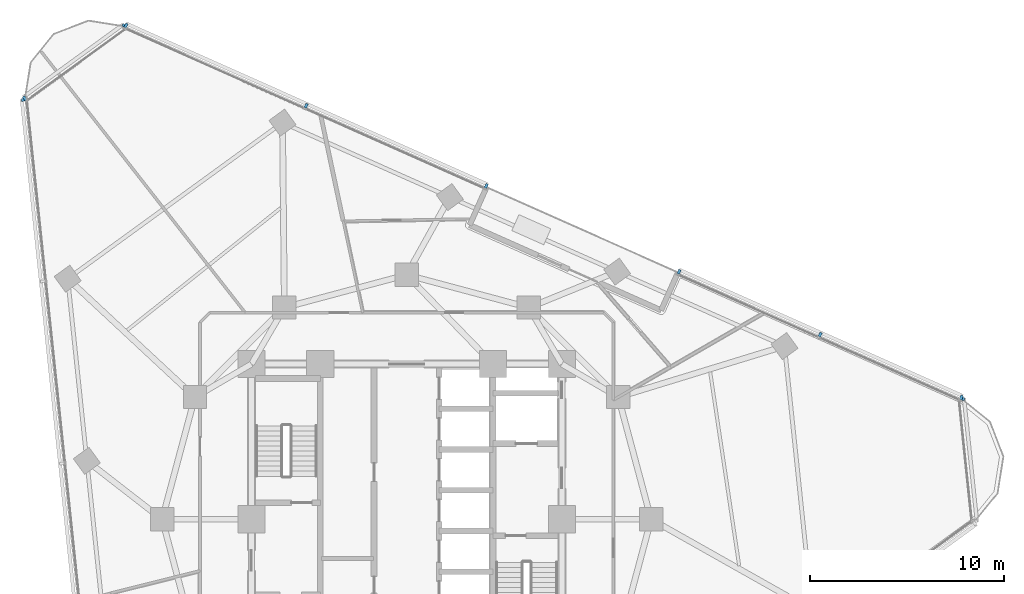
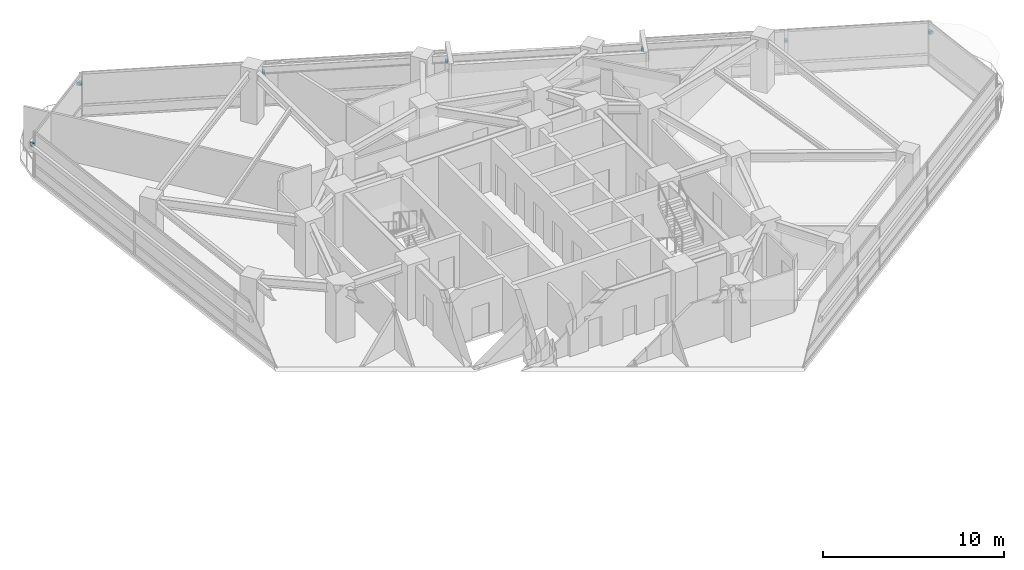
# One storey, part 11 of 14: 10 discrete accessories.
"""IFC4 building model written with IfcOpenShell, lengths in metres."""

from ifc_helpers import new_model, si_unit, direction, frame, origin, origin_2d, place, context, subcontext, project, spatial, rectangle, extrude, material, type_object, element, save


model = new_model("IFC4")

# Units and contexts
model_context = context("Model", 3, precision=1e-05, world=origin(), true_north=direction((0.0, 1.0)))
body_context = subcontext(model_context, "Body", "Model", "MODEL_VIEW")
ifc_project = project(units=[si_unit("LENGTHUNIT", "METRE"), si_unit("AREAUNIT", "SQUARE_METRE"), si_unit("VOLUMEUNIT", "CUBIC_METRE"), si_unit("PLANEANGLEUNIT", "RADIAN"), si_unit("MASSUNIT", "GRAM", prefix="KILO")], contexts=[model_context])

# Site, building, storey
site_placement = place(None, origin())
site = spatial("IfcSite", under=ifc_project, at=site_placement, CompositionType="ELEMENT")
building_placement = place(site_placement, origin())
building = spatial("IfcBuilding", under=site, at=building_placement, Name="Terralouvre Media Tower", CompositionType="ELEMENT")
storey_placement = place(building_placement, frame((0.0, 0.0, 176.800048828125)))
storey = spatial("IfcBuildingStorey", under=building, at=storey_placement, Name="L45", CompositionType="ELEMENT", Elevation=176.800048828125)

# Discrete accessories
ifc_material = material(Name="Anodised extruded aluminium 6063-T6", Category="aluminium")
discrete_accessory_type = type_object("IfcDiscreteAccessoryType", Name="Mullion Stand-Off Baguette Fixing Bracket BK-01", PredefinedType="BRACKET", material=ifc_material)
for number, where, z_axis, x_axis, name in (
    (1, (28.588623046875, 6.280517578125, 2.07421875), (0.0, 0.0, 1.0), (-0.913545295759, 0.406737006671, 0.0), "CW-L45-F1L Baguette Outrigger Bracket 1.01"),
    (2, (21.314453125, 9.51904296875, 2.07421875), (0.0, 0.0, 1.0), (-0.913545295759, 0.406737006671, 0.0), "CW-L45-F1L Baguette Outrigger Bracket 1.02"),
    (3, (14.040283203125, 12.757568359375, 2.07421875), (0.0, 0.0, 1.0), (-0.913545295759, 0.406737006671, 0.0), "CW-L45-F1L Baguette Outrigger Bracket 1.03"),
    (4, (4.10546875, 17.180908203125, 2.07421875), (0.0, 0.0, 1.0), (-0.913545697294, 0.40673610481, 0.0), "CW-L45-F1R Baguette Outrigger Bracket 1.01"),
    (5, (-5.17822265625, 21.314453125, 2.07421875), (0.0, 0.0, 1.0), (-0.913545697294, 0.40673610481, 0.0), "CW-L45-F1R Baguette Outrigger Bracket 1.02"),
    (6, (-14.462158203125, 25.44775390625, 2.07421875), (0.0, 0.0, 1.0), (-0.913545697294, 0.40673610481, 0.0), "CW-L45-F1R Baguette Outrigger Bracket 1.03"),
    (7, (-19.7333984375, 21.6181640625, 2.07421875), (0.0, 0.0, 1.0), (0.104528376236, -0.994521904516, 0.0), "CW-L45-F2 Baguette Outrigger Bracket 1.01"),
    (8, (28.63037109375, 6.193359375, 2.07421875), (0.0, 0.0, 1.0), (-0.10452850319, 0.994521891172, 0.0), "CW-L45-C1 Baguette Outrigger Bracket 1.02"),
    (9, (-14.554931640625, 25.420654296875, 2.07421875), (0.0, 0.0, 1.0), (-0.809017438344, -0.587784641221, 0.0), "CW-L45-C2 Baguette Outrigger Bracket 1.01"),
    (10, (-19.678955078125, 21.697998046875, 2.07421875), (0.0, 0.0, 1.0), (-0.809017438344, -0.587784641221, 0.0), "CW-L45-C2 Baguette Outrigger Bracket 1.02"),
):
    element("IfcDiscreteAccessory", number, at=place(storey_placement, frame(where, z_axis=z_axis, x_axis=x_axis)), inside=storey, type_object=discrete_accessory_type, Name=name, PredefinedType="BRACKET", context=body_context, shape_type="SweptSolid", body=[
        extrude(rectangle(XDim=0.139892578125, YDim=0.239990234375, at=origin_2d()), origin(), (0.0, 0.0, 1.0), 0.179931640625),
    ])

save(model, "model.ifc")
